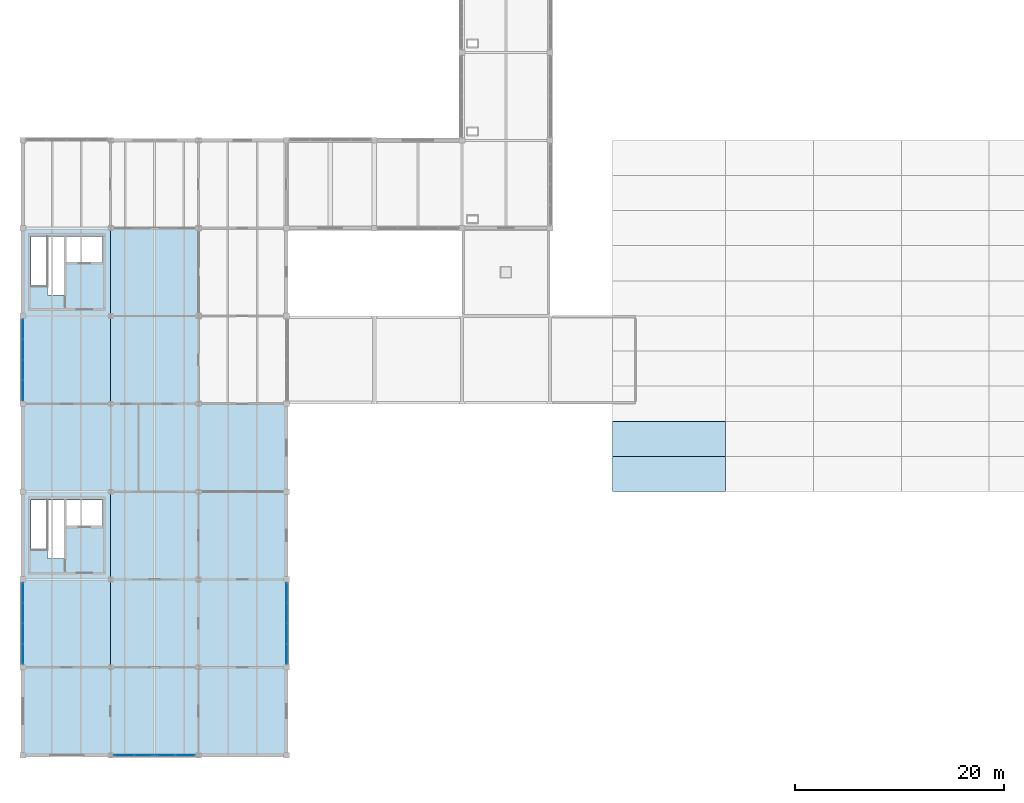
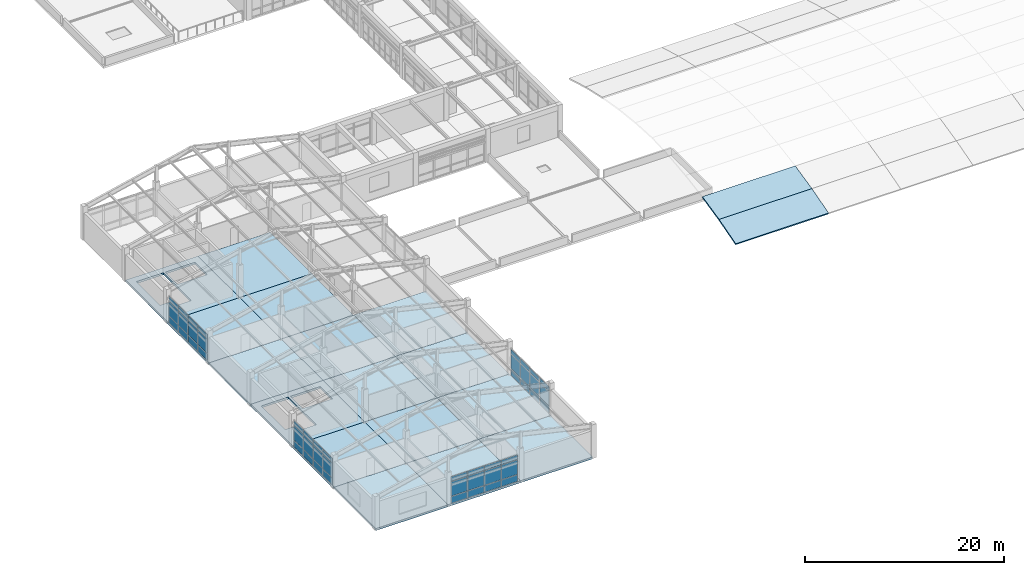
# One storey, part 20 of 40: 48 plates, 18 slabs, 4 elements without a shape of their own.
"""IFC4 building model written with IfcOpenShell, lengths in metres."""

from ifc_helpers import new_model, si_unit, direction, frame, origin, origin_2d, place, context, subcontext, project, spatial, polyline, rectangle, outline, extrude, material, layer, layer_set, type_object, element, aggregate, save


model = new_model("IFC4")

# Units and contexts
model_context = context("Model", 3, precision=1e-05, world=origin(), true_north=direction((0.0, 1.0)))
body_context = subcontext(model_context, "Body", "Model", "MODEL_VIEW")
ifc_project = project(units=[si_unit("LENGTHUNIT", "METRE"), si_unit("AREAUNIT", "SQUARE_METRE"), si_unit("VOLUMEUNIT", "CUBIC_METRE"), si_unit("PLANEANGLEUNIT", "RADIAN"), si_unit("MASSUNIT", "GRAM", prefix="KILO")], contexts=[model_context])

# Site, building, storey
site_placement = place(None, origin())
site = spatial("IfcSite", under=ifc_project, at=site_placement, CompositionType="ELEMENT")
building_placement = place(site_placement, origin())
building = spatial("IfcBuilding", under=site, at=building_placement, Name="Porcellanite Civic Hall", CompositionType="ELEMENT")
storey_placement = place(building_placement, frame((0.0, 0.0, 19.080078125)))
storey = spatial("IfcBuildingStorey", under=building, at=storey_placement, Name="L04", CompositionType="ELEMENT", Elevation=19.080078125)

# Curtain wall, plates
ifc_material_1 = material(Name="Anodised aluminium and solar laminated glass", Category="aluminium")
ifc_layer_1 = layer(ifc_material_1, 0.179931640625)
ifc_layer_set_1 = layer_set([ifc_layer_1], Name="Anodised aluminium and solar laminated glass")
curtain_wall_type = type_object("IfcCurtainWallType", Name="CW-SYS05", PredefinedType="NOTDEFINED", material=ifc_layer_set_1)
curtain_wall_1_placement = place(storey_placement, origin())
curtain_wall_1 = element("IfcCurtainWall", 1, at=curtain_wall_1_placement, inside=storey, type_object=curtain_wall_type, Name="Curtain wall CW-229", PredefinedType="NOTDEFINED")
ifc_material_2 = material(Name="Cyclone laminated solar-control low-E glass", Category="glass")
ifc_layer_2 = layer(ifc_material_2, 0.028076171875)
ifc_layer_set_2 = layer_set([ifc_layer_2], Name="Cyclone laminated solar-control low-E glass")
plate_type = type_object("IfcPlateType", Name="CWP-03", PredefinedType="CURTAIN_PANEL", material=ifc_layer_set_2)
plate_1_placement = place(storey_placement, frame((8.39990234375, 26.474609375, 0.059814453125), z_axis=(0.0, 0.0, 1.0), x_axis=(0.0, 1.0, 0.0)))
plate_1 = element("IfcPlate", 2, at=plate_1_placement, type_object=plate_type, Name="CW-229 panel 1.1", PredefinedType="CURTAIN_PANEL", context=body_context, shape_type="SweptSolid", body=[
    extrude(rectangle(XDim=1.85693359375, YDim=0.028076171875, at=origin_2d()), origin(), (0.0, 0.0, 1.0), 0.81005859375),
])
plate_2_placement = place(storey_placement, frame((8.39990234375, 26.474609375, 0.9296875), z_axis=(0.0, 0.0, 1.0), x_axis=(0.0, 1.0, 0.0)))
plate_2 = element("IfcPlate", 3, at=plate_2_placement, type_object=plate_type, Name="CW-229 panel 1.2", PredefinedType="CURTAIN_PANEL", context=body_context, shape_type="SweptSolid", body=[
    extrude(rectangle(XDim=1.85693359375, YDim=0.028076171875, at=origin_2d()), origin(), (0.0, 0.0, 1.0), 1.760009765625),
])
plate_3_placement = place(storey_placement, frame((8.39990234375, 26.474609375, 2.75), z_axis=(0.0, 0.0, 1.0), x_axis=(0.0, 1.0, 0.0)))
plate_3 = element("IfcPlate", 4, at=plate_3_placement, type_object=plate_type, Name="CW-229 panel 1.3", PredefinedType="CURTAIN_PANEL", context=body_context, shape_type="SweptSolid", body=[
    extrude(rectangle(XDim=1.85693359375, YDim=0.028076171875, at=origin_2d()), origin(), (0.0, 0.0, 1.0), 0.56005859375),
])
plate_4_placement = place(storey_placement, frame((8.39990234375, 28.4189453125, 0.059814453125), z_axis=(0.0, 0.0, 1.0), x_axis=(0.0, 1.0, 0.0)))
plate_4 = element("IfcPlate", 5, at=plate_4_placement, type_object=plate_type, Name="CW-229 panel 2.1", PredefinedType="CURTAIN_PANEL", context=body_context, shape_type="SweptSolid", body=[
    extrude(rectangle(XDim=1.89208984375, YDim=0.028076171875, at=origin_2d()), origin(), (0.0, 0.0, 1.0), 0.81005859375),
])
plate_5_placement = place(storey_placement, frame((8.39990234375, 28.4189453125, 0.9296875), z_axis=(0.0, 0.0, 1.0), x_axis=(0.0, 1.0, 0.0)))
plate_5 = element("IfcPlate", 6, at=plate_5_placement, type_object=plate_type, Name="CW-229 panel 2.2", PredefinedType="CURTAIN_PANEL", context=body_context, shape_type="SweptSolid", body=[
    extrude(rectangle(XDim=1.89208984375, YDim=0.028076171875, at=origin_2d()), origin(), (0.0, 0.0, 1.0), 1.760009765625),
])
plate_6_placement = place(storey_placement, frame((8.39990234375, 28.4189453125, 2.75), z_axis=(0.0, 0.0, 1.0), x_axis=(0.0, 1.0, 0.0)))
plate_6 = element("IfcPlate", 7, at=plate_6_placement, type_object=plate_type, Name="CW-229 panel 2.3", PredefinedType="CURTAIN_PANEL", context=body_context, shape_type="SweptSolid", body=[
    extrude(rectangle(XDim=1.89208984375, YDim=0.028076171875, at=origin_2d()), origin(), (0.0, 0.0, 1.0), 0.56005859375),
])
plate_7_placement = place(storey_placement, frame((8.39990234375, 30.381103515625, 0.059814453125), z_axis=(0.0, 0.0, 1.0), x_axis=(0.0, 1.0, 0.0)))
plate_7 = element("IfcPlate", 8, at=plate_7_placement, type_object=plate_type, Name="CW-229 panel 3.1", PredefinedType="CURTAIN_PANEL", context=body_context, shape_type="SweptSolid", body=[
    extrude(rectangle(XDim=1.89208984375, YDim=0.028076171875, at=origin_2d()), origin(), (0.0, 0.0, 1.0), 0.81005859375),
])
plate_8_placement = place(storey_placement, frame((8.39990234375, 30.381103515625, 0.9296875), z_axis=(0.0, 0.0, 1.0), x_axis=(0.0, 1.0, 0.0)))
plate_8 = element("IfcPlate", 9, at=plate_8_placement, type_object=plate_type, Name="CW-229 panel 3.2", PredefinedType="CURTAIN_PANEL", context=body_context, shape_type="SweptSolid", body=[
    extrude(rectangle(XDim=1.89208984375, YDim=0.028076171875, at=origin_2d()), origin(), (0.0, 0.0, 1.0), 1.760009765625),
])
plate_9_placement = place(storey_placement, frame((8.39990234375, 30.381103515625, 2.75), z_axis=(0.0, 0.0, 1.0), x_axis=(0.0, 1.0, 0.0)))
plate_9 = element("IfcPlate", 10, at=plate_9_placement, type_object=plate_type, Name="CW-229 panel 3.3", PredefinedType="CURTAIN_PANEL", context=body_context, shape_type="SweptSolid", body=[
    extrude(rectangle(XDim=1.89208984375, YDim=0.028076171875, at=origin_2d()), origin(), (0.0, 0.0, 1.0), 0.56005859375),
])
plate_10_placement = place(storey_placement, frame((8.39990234375, 32.325439453125, 0.059814453125), z_axis=(0.0, 0.0, 1.0), x_axis=(0.0, 1.0, 0.0)))
plate_10 = element("IfcPlate", 11, at=plate_10_placement, type_object=plate_type, Name="CW-229 panel 4.1", PredefinedType="CURTAIN_PANEL", context=body_context, shape_type="SweptSolid", body=[
    extrude(rectangle(XDim=1.85693359375, YDim=0.028076171875, at=origin_2d()), origin(), (0.0, 0.0, 1.0), 0.81005859375),
])
plate_11_placement = place(storey_placement, frame((8.39990234375, 32.325439453125, 0.9296875), z_axis=(0.0, 0.0, 1.0), x_axis=(0.0, 1.0, 0.0)))
plate_11 = element("IfcPlate", 12, at=plate_11_placement, type_object=plate_type, Name="CW-229 panel 4.2", PredefinedType="CURTAIN_PANEL", context=body_context, shape_type="SweptSolid", body=[
    extrude(rectangle(XDim=1.85693359375, YDim=0.028076171875, at=origin_2d()), origin(), (0.0, 0.0, 1.0), 1.760009765625),
])
plate_12_placement = place(storey_placement, frame((8.39990234375, 32.325439453125, 2.75), z_axis=(0.0, 0.0, 1.0), x_axis=(0.0, 1.0, 0.0)))
plate_12 = element("IfcPlate", 13, at=plate_12_placement, type_object=plate_type, Name="CW-229 panel 4.3", PredefinedType="CURTAIN_PANEL", context=body_context, shape_type="SweptSolid", body=[
    extrude(rectangle(XDim=1.85693359375, YDim=0.028076171875, at=origin_2d()), origin(), (0.0, 0.0, 1.0), 0.56005859375),
])
aggregate(curtain_wall_1, [plate_1, plate_2, plate_3, plate_4, plate_5, plate_6, plate_7, plate_8, plate_9, plate_10, plate_11, plate_12])

curtain_wall_2_placement = place(storey_placement, origin())
curtain_wall_2 = element("IfcCurtainWall", 14, at=curtain_wall_2_placement, inside=storey, type_object=curtain_wall_type, Name="Curtain wall CW-230", PredefinedType="NOTDEFINED")
plate_13_placement = place(storey_placement, frame((8.39990234375, 51.674560546875, 0.059814453125), z_axis=(0.0, 0.0, 1.0), x_axis=(0.0, 1.0, 0.0)))
plate_13 = element("IfcPlate", 15, at=plate_13_placement, type_object=plate_type, Name="CW-230 panel 1.1", PredefinedType="CURTAIN_PANEL", context=body_context, shape_type="SweptSolid", body=[
    extrude(rectangle(XDim=1.85693359375, YDim=0.028076171875, at=origin_2d()), origin(), (0.0, 0.0, 1.0), 0.81005859375),
])
plate_14_placement = place(storey_placement, frame((8.39990234375, 51.674560546875, 0.9296875), z_axis=(0.0, 0.0, 1.0), x_axis=(0.0, 1.0, 0.0)))
plate_14 = element("IfcPlate", 16, at=plate_14_placement, type_object=plate_type, Name="CW-230 panel 1.2", PredefinedType="CURTAIN_PANEL", context=body_context, shape_type="SweptSolid", body=[
    extrude(rectangle(XDim=1.85693359375, YDim=0.028076171875, at=origin_2d()), origin(), (0.0, 0.0, 1.0), 1.760009765625),
])
plate_15_placement = place(storey_placement, frame((8.39990234375, 51.674560546875, 2.75), z_axis=(0.0, 0.0, 1.0), x_axis=(0.0, 1.0, 0.0)))
plate_15 = element("IfcPlate", 17, at=plate_15_placement, type_object=plate_type, Name="CW-230 panel 1.3", PredefinedType="CURTAIN_PANEL", context=body_context, shape_type="SweptSolid", body=[
    extrude(rectangle(XDim=1.85693359375, YDim=0.028076171875, at=origin_2d()), origin(), (0.0, 0.0, 1.0), 0.56005859375),
])
plate_16_placement = place(storey_placement, frame((8.39990234375, 53.618896484375, 0.059814453125), z_axis=(0.0, 0.0, 1.0), x_axis=(0.0, 1.0, 0.0)))
plate_16 = element("IfcPlate", 18, at=plate_16_placement, type_object=plate_type, Name="CW-230 panel 2.1", PredefinedType="CURTAIN_PANEL", context=body_context, shape_type="SweptSolid", body=[
    extrude(rectangle(XDim=1.89208984375, YDim=0.028076171875, at=origin_2d()), origin(), (0.0, 0.0, 1.0), 0.81005859375),
])
plate_17_placement = place(storey_placement, frame((8.39990234375, 53.618896484375, 0.9296875), z_axis=(0.0, 0.0, 1.0), x_axis=(0.0, 1.0, 0.0)))
plate_17 = element("IfcPlate", 19, at=plate_17_placement, type_object=plate_type, Name="CW-230 panel 2.2", PredefinedType="CURTAIN_PANEL", context=body_context, shape_type="SweptSolid", body=[
    extrude(rectangle(XDim=1.89208984375, YDim=0.028076171875, at=origin_2d()), origin(), (0.0, 0.0, 1.0), 1.760009765625),
])
plate_18_placement = place(storey_placement, frame((8.39990234375, 53.618896484375, 2.75), z_axis=(0.0, 0.0, 1.0), x_axis=(0.0, 1.0, 0.0)))
plate_18 = element("IfcPlate", 20, at=plate_18_placement, type_object=plate_type, Name="CW-230 panel 2.3", PredefinedType="CURTAIN_PANEL", context=body_context, shape_type="SweptSolid", body=[
    extrude(rectangle(XDim=1.89208984375, YDim=0.028076171875, at=origin_2d()), origin(), (0.0, 0.0, 1.0), 0.56005859375),
])
plate_19_placement = place(storey_placement, frame((8.39990234375, 55.5810546875, 0.059814453125), z_axis=(0.0, 0.0, 1.0), x_axis=(0.0, 1.0, 0.0)))
plate_19 = element("IfcPlate", 21, at=plate_19_placement, type_object=plate_type, Name="CW-230 panel 3.1", PredefinedType="CURTAIN_PANEL", context=body_context, shape_type="SweptSolid", body=[
    extrude(rectangle(XDim=1.89208984375, YDim=0.028076171875, at=origin_2d()), origin(), (0.0, 0.0, 1.0), 0.81005859375),
])
plate_20_placement = place(storey_placement, frame((8.39990234375, 55.5810546875, 0.9296875), z_axis=(0.0, 0.0, 1.0), x_axis=(0.0, 1.0, 0.0)))
plate_20 = element("IfcPlate", 22, at=plate_20_placement, type_object=plate_type, Name="CW-230 panel 3.2", PredefinedType="CURTAIN_PANEL", context=body_context, shape_type="SweptSolid", body=[
    extrude(rectangle(XDim=1.89208984375, YDim=0.028076171875, at=origin_2d()), origin(), (0.0, 0.0, 1.0), 1.760009765625),
])
plate_21_placement = place(storey_placement, frame((8.39990234375, 55.5810546875, 2.75), z_axis=(0.0, 0.0, 1.0), x_axis=(0.0, 1.0, 0.0)))
plate_21 = element("IfcPlate", 23, at=plate_21_placement, type_object=plate_type, Name="CW-230 panel 3.3", PredefinedType="CURTAIN_PANEL", context=body_context, shape_type="SweptSolid", body=[
    extrude(rectangle(XDim=1.89208984375, YDim=0.028076171875, at=origin_2d()), origin(), (0.0, 0.0, 1.0), 0.56005859375),
])
plate_22_placement = place(storey_placement, frame((8.39990234375, 57.525390625, 0.059814453125), z_axis=(0.0, 0.0, 1.0), x_axis=(0.0, 1.0, 0.0)))
plate_22 = element("IfcPlate", 24, at=plate_22_placement, type_object=plate_type, Name="CW-230 panel 4.1", PredefinedType="CURTAIN_PANEL", context=body_context, shape_type="SweptSolid", body=[
    extrude(rectangle(XDim=1.85693359375, YDim=0.028076171875, at=origin_2d()), origin(), (0.0, 0.0, 1.0), 0.81005859375),
])
plate_23_placement = place(storey_placement, frame((8.39990234375, 57.525390625, 0.9296875), z_axis=(0.0, 0.0, 1.0), x_axis=(0.0, 1.0, 0.0)))
plate_23 = element("IfcPlate", 25, at=plate_23_placement, type_object=plate_type, Name="CW-230 panel 4.2", PredefinedType="CURTAIN_PANEL", context=body_context, shape_type="SweptSolid", body=[
    extrude(rectangle(XDim=1.85693359375, YDim=0.028076171875, at=origin_2d()), origin(), (0.0, 0.0, 1.0), 1.760009765625),
])
plate_24_placement = place(storey_placement, frame((8.39990234375, 57.525390625, 2.75), z_axis=(0.0, 0.0, 1.0), x_axis=(0.0, 1.0, 0.0)))
plate_24 = element("IfcPlate", 26, at=plate_24_placement, type_object=plate_type, Name="CW-230 panel 4.3", PredefinedType="CURTAIN_PANEL", context=body_context, shape_type="SweptSolid", body=[
    extrude(rectangle(XDim=1.85693359375, YDim=0.028076171875, at=origin_2d()), origin(), (0.0, 0.0, 1.0), 0.56005859375),
])
aggregate(curtain_wall_2, [plate_13, plate_14, plate_15, plate_16, plate_17, plate_18, plate_19, plate_20, plate_21, plate_22, plate_23, plate_24])

curtain_wall_3_placement = place(storey_placement, origin())
curtain_wall_3 = element("IfcCurtainWall", 27, at=curtain_wall_3_placement, inside=storey, type_object=curtain_wall_type, Name="Curtain wall CW-232", PredefinedType="NOTDEFINED")
plate_25_placement = place(storey_placement, frame((23.925537109375, 16.800048828125, 0.059814453125), z_axis=(0.0, 0.0, 1.0), x_axis=(-1.0, 0.0, 0.0)))
plate_25 = element("IfcPlate", 28, at=plate_25_placement, type_object=plate_type, Name="CW-232 panel 1.1", PredefinedType="CURTAIN_PANEL", context=body_context, shape_type="SweptSolid", body=[
    extrude(rectangle(XDim=1.85693359375, YDim=0.028076171875, at=origin_2d()), origin(), (0.0, 0.0, 1.0), 0.81005859375),
])
plate_26_placement = place(storey_placement, frame((23.925537109375, 16.800048828125, 0.9296875), z_axis=(0.0, 0.0, 1.0), x_axis=(-1.0, 0.0, 0.0)))
plate_26 = element("IfcPlate", 29, at=plate_26_placement, type_object=plate_type, Name="CW-232 panel 1.2", PredefinedType="CURTAIN_PANEL", context=body_context, shape_type="SweptSolid", body=[
    extrude(rectangle(XDim=1.85693359375, YDim=0.028076171875, at=origin_2d()), origin(), (0.0, 0.0, 1.0), 1.760009765625),
])
plate_27_placement = place(storey_placement, frame((23.925537109375, 16.800048828125, 2.75), z_axis=(0.0, 0.0, 1.0), x_axis=(-1.0, 0.0, 0.0)))
plate_27 = element("IfcPlate", 30, at=plate_27_placement, type_object=plate_type, Name="CW-232 panel 1.3", PredefinedType="CURTAIN_PANEL", context=body_context, shape_type="SweptSolid", body=[
    extrude(rectangle(XDim=1.85693359375, YDim=0.028076171875, at=origin_2d()), origin(), (0.0, 0.0, 1.0), 0.56005859375),
])
plate_28_placement = place(storey_placement, frame((21.98095703125, 16.800048828125, 0.059814453125), z_axis=(0.0, 0.0, 1.0), x_axis=(-1.0, 0.0, 0.0)))
plate_28 = element("IfcPlate", 31, at=plate_28_placement, type_object=plate_type, Name="CW-232 panel 2.1", PredefinedType="CURTAIN_PANEL", context=body_context, shape_type="SweptSolid", body=[
    extrude(rectangle(XDim=1.89208984375, YDim=0.028076171875, at=origin_2d()), origin(), (0.0, 0.0, 1.0), 0.81005859375),
])
plate_29_placement = place(storey_placement, frame((21.98095703125, 16.800048828125, 0.9296875), z_axis=(0.0, 0.0, 1.0), x_axis=(-1.0, 0.0, 0.0)))
plate_29 = element("IfcPlate", 32, at=plate_29_placement, type_object=plate_type, Name="CW-232 panel 2.2", PredefinedType="CURTAIN_PANEL", context=body_context, shape_type="SweptSolid", body=[
    extrude(rectangle(XDim=1.89208984375, YDim=0.028076171875, at=origin_2d()), origin(), (0.0, 0.0, 1.0), 1.760009765625),
])
plate_30_placement = place(storey_placement, frame((21.98095703125, 16.800048828125, 2.75), z_axis=(0.0, 0.0, 1.0), x_axis=(-1.0, 0.0, 0.0)))
plate_30 = element("IfcPlate", 33, at=plate_30_placement, type_object=plate_type, Name="CW-232 panel 2.3", PredefinedType="CURTAIN_PANEL", context=body_context, shape_type="SweptSolid", body=[
    extrude(rectangle(XDim=1.89208984375, YDim=0.028076171875, at=origin_2d()), origin(), (0.0, 0.0, 1.0), 0.56005859375),
])
plate_31_placement = place(storey_placement, frame((20.01904296875, 16.800048828125, 0.059814453125), z_axis=(0.0, 0.0, 1.0), x_axis=(-1.0, 0.0, 0.0)))
plate_31 = element("IfcPlate", 34, at=plate_31_placement, type_object=plate_type, Name="CW-232 panel 3.1", PredefinedType="CURTAIN_PANEL", context=body_context, shape_type="SweptSolid", body=[
    extrude(rectangle(XDim=1.89208984375, YDim=0.028076171875, at=origin_2d()), origin(), (0.0, 0.0, 1.0), 0.81005859375),
])
plate_32_placement = place(storey_placement, frame((20.01904296875, 16.800048828125, 0.9296875), z_axis=(0.0, 0.0, 1.0), x_axis=(-1.0, 0.0, 0.0)))
plate_32 = element("IfcPlate", 35, at=plate_32_placement, type_object=plate_type, Name="CW-232 panel 3.2", PredefinedType="CURTAIN_PANEL", context=body_context, shape_type="SweptSolid", body=[
    extrude(rectangle(XDim=1.89208984375, YDim=0.028076171875, at=origin_2d()), origin(), (0.0, 0.0, 1.0), 1.760009765625),
])
plate_33_placement = place(storey_placement, frame((20.01904296875, 16.800048828125, 2.75), z_axis=(0.0, 0.0, 1.0), x_axis=(-1.0, 0.0, 0.0)))
plate_33 = element("IfcPlate", 36, at=plate_33_placement, type_object=plate_type, Name="CW-232 panel 3.3", PredefinedType="CURTAIN_PANEL", context=body_context, shape_type="SweptSolid", body=[
    extrude(rectangle(XDim=1.89208984375, YDim=0.028076171875, at=origin_2d()), origin(), (0.0, 0.0, 1.0), 0.56005859375),
])
plate_34_placement = place(storey_placement, frame((18.074462890625, 16.800048828125, 0.059814453125), z_axis=(0.0, 0.0, 1.0), x_axis=(-1.0, 0.0, 0.0)))
plate_34 = element("IfcPlate", 37, at=plate_34_placement, type_object=plate_type, Name="CW-232 panel 4.1", PredefinedType="CURTAIN_PANEL", context=body_context, shape_type="SweptSolid", body=[
    extrude(rectangle(XDim=1.85693359375, YDim=0.028076171875, at=origin_2d()), origin(), (0.0, 0.0, 1.0), 0.81005859375),
])
plate_35_placement = place(storey_placement, frame((18.074462890625, 16.800048828125, 0.9296875), z_axis=(0.0, 0.0, 1.0), x_axis=(-1.0, 0.0, 0.0)))
plate_35 = element("IfcPlate", 38, at=plate_35_placement, type_object=plate_type, Name="CW-232 panel 4.2", PredefinedType="CURTAIN_PANEL", context=body_context, shape_type="SweptSolid", body=[
    extrude(rectangle(XDim=1.85693359375, YDim=0.028076171875, at=origin_2d()), origin(), (0.0, 0.0, 1.0), 1.760009765625),
])
plate_36_placement = place(storey_placement, frame((18.074462890625, 16.800048828125, 2.75), z_axis=(0.0, 0.0, 1.0), x_axis=(-1.0, 0.0, 0.0)))
plate_36 = element("IfcPlate", 39, at=plate_36_placement, type_object=plate_type, Name="CW-232 panel 4.3", PredefinedType="CURTAIN_PANEL", context=body_context, shape_type="SweptSolid", body=[
    extrude(rectangle(XDim=1.85693359375, YDim=0.028076171875, at=origin_2d()), origin(), (0.0, 0.0, 1.0), 0.56005859375),
])
aggregate(curtain_wall_3, [plate_25, plate_26, plate_27, plate_28, plate_29, plate_30, plate_31, plate_32, plate_33, plate_34, plate_35, plate_36])

curtain_wall_4_placement = place(storey_placement, origin())
curtain_wall_4 = element("IfcCurtainWall", 40, at=curtain_wall_4_placement, inside=storey, type_object=curtain_wall_type, Name="Curtain wall CW-233", PredefinedType="NOTDEFINED")
plate_37_placement = place(storey_placement, frame((33.60009765625, 32.325439453125, 0.059814453125), z_axis=(0.0, 0.0, 1.0), x_axis=(0.0, -1.0, 0.0)))
plate_37 = element("IfcPlate", 41, at=plate_37_placement, type_object=plate_type, Name="CW-233 panel 1.1", PredefinedType="CURTAIN_PANEL", context=body_context, shape_type="SweptSolid", body=[
    extrude(rectangle(XDim=1.85693359375, YDim=0.028076171875, at=origin_2d()), origin(), (0.0, 0.0, 1.0), 0.81005859375),
])
plate_38_placement = place(storey_placement, frame((33.60009765625, 32.325439453125, 0.9296875), z_axis=(0.0, 0.0, 1.0), x_axis=(0.0, -1.0, 0.0)))
plate_38 = element("IfcPlate", 42, at=plate_38_placement, type_object=plate_type, Name="CW-233 panel 1.2", PredefinedType="CURTAIN_PANEL", context=body_context, shape_type="SweptSolid", body=[
    extrude(rectangle(XDim=1.85693359375, YDim=0.028076171875, at=origin_2d()), origin(), (0.0, 0.0, 1.0), 1.760009765625),
])
plate_39_placement = place(storey_placement, frame((33.60009765625, 32.325439453125, 2.75), z_axis=(0.0, 0.0, 1.0), x_axis=(0.0, -1.0, 0.0)))
plate_39 = element("IfcPlate", 43, at=plate_39_placement, type_object=plate_type, Name="CW-233 panel 1.3", PredefinedType="CURTAIN_PANEL", context=body_context, shape_type="SweptSolid", body=[
    extrude(rectangle(XDim=1.85693359375, YDim=0.028076171875, at=origin_2d()), origin(), (0.0, 0.0, 1.0), 0.56005859375),
])
plate_40_placement = place(storey_placement, frame((33.60009765625, 30.381103515625, 0.059814453125), z_axis=(0.0, 0.0, 1.0), x_axis=(0.0, -1.0, 0.0)))
plate_40 = element("IfcPlate", 44, at=plate_40_placement, type_object=plate_type, Name="CW-233 panel 2.1", PredefinedType="CURTAIN_PANEL", context=body_context, shape_type="SweptSolid", body=[
    extrude(rectangle(XDim=1.89208984375, YDim=0.028076171875, at=origin_2d()), origin(), (0.0, 0.0, 1.0), 0.81005859375),
])
plate_41_placement = place(storey_placement, frame((33.60009765625, 30.381103515625, 0.9296875), z_axis=(0.0, 0.0, 1.0), x_axis=(0.0, -1.0, 0.0)))
plate_41 = element("IfcPlate", 45, at=plate_41_placement, type_object=plate_type, Name="CW-233 panel 2.2", PredefinedType="CURTAIN_PANEL", context=body_context, shape_type="SweptSolid", body=[
    extrude(rectangle(XDim=1.89208984375, YDim=0.028076171875, at=origin_2d()), origin(), (0.0, 0.0, 1.0), 1.760009765625),
])
plate_42_placement = place(storey_placement, frame((33.60009765625, 30.381103515625, 2.75), z_axis=(0.0, 0.0, 1.0), x_axis=(0.0, -1.0, 0.0)))
plate_42 = element("IfcPlate", 46, at=plate_42_placement, type_object=plate_type, Name="CW-233 panel 2.3", PredefinedType="CURTAIN_PANEL", context=body_context, shape_type="SweptSolid", body=[
    extrude(rectangle(XDim=1.89208984375, YDim=0.028076171875, at=origin_2d()), origin(), (0.0, 0.0, 1.0), 0.56005859375),
])
plate_43_placement = place(storey_placement, frame((33.60009765625, 28.4189453125, 0.059814453125), z_axis=(0.0, 0.0, 1.0), x_axis=(0.0, -1.0, 0.0)))
plate_43 = element("IfcPlate", 47, at=plate_43_placement, type_object=plate_type, Name="CW-233 panel 3.1", PredefinedType="CURTAIN_PANEL", context=body_context, shape_type="SweptSolid", body=[
    extrude(rectangle(XDim=1.89208984375, YDim=0.028076171875, at=origin_2d()), origin(), (0.0, 0.0, 1.0), 0.81005859375),
])
plate_44_placement = place(storey_placement, frame((33.60009765625, 28.4189453125, 0.9296875), z_axis=(0.0, 0.0, 1.0), x_axis=(0.0, -1.0, 0.0)))
plate_44 = element("IfcPlate", 48, at=plate_44_placement, type_object=plate_type, Name="CW-233 panel 3.2", PredefinedType="CURTAIN_PANEL", context=body_context, shape_type="SweptSolid", body=[
    extrude(rectangle(XDim=1.89208984375, YDim=0.028076171875, at=origin_2d()), origin(), (0.0, 0.0, 1.0), 1.760009765625),
])
plate_45_placement = place(storey_placement, frame((33.60009765625, 28.4189453125, 2.75), z_axis=(0.0, 0.0, 1.0), x_axis=(0.0, -1.0, 0.0)))
plate_45 = element("IfcPlate", 49, at=plate_45_placement, type_object=plate_type, Name="CW-233 panel 3.3", PredefinedType="CURTAIN_PANEL", context=body_context, shape_type="SweptSolid", body=[
    extrude(rectangle(XDim=1.89208984375, YDim=0.028076171875, at=origin_2d()), origin(), (0.0, 0.0, 1.0), 0.56005859375),
])
plate_46_placement = place(storey_placement, frame((33.60009765625, 26.474609375, 0.059814453125), z_axis=(0.0, 0.0, 1.0), x_axis=(0.0, -1.0, 0.0)))
plate_46 = element("IfcPlate", 50, at=plate_46_placement, type_object=plate_type, Name="CW-233 panel 4.1", PredefinedType="CURTAIN_PANEL", context=body_context, shape_type="SweptSolid", body=[
    extrude(rectangle(XDim=1.85693359375, YDim=0.028076171875, at=origin_2d()), origin(), (0.0, 0.0, 1.0), 0.81005859375),
])
plate_47_placement = place(storey_placement, frame((33.60009765625, 26.474609375, 0.9296875), z_axis=(0.0, 0.0, 1.0), x_axis=(0.0, -1.0, 0.0)))
plate_47 = element("IfcPlate", 51, at=plate_47_placement, type_object=plate_type, Name="CW-233 panel 4.2", PredefinedType="CURTAIN_PANEL", context=body_context, shape_type="SweptSolid", body=[
    extrude(rectangle(XDim=1.85693359375, YDim=0.028076171875, at=origin_2d()), origin(), (0.0, 0.0, 1.0), 1.760009765625),
])
plate_48_placement = place(storey_placement, frame((33.60009765625, 26.474609375, 2.75), z_axis=(0.0, 0.0, 1.0), x_axis=(0.0, -1.0, 0.0)))
plate_48 = element("IfcPlate", 52, at=plate_48_placement, type_object=plate_type, Name="CW-233 panel 4.3", PredefinedType="CURTAIN_PANEL", context=body_context, shape_type="SweptSolid", body=[
    extrude(rectangle(XDim=1.85693359375, YDim=0.028076171875, at=origin_2d()), origin(), (0.0, 0.0, 1.0), 0.56005859375),
])
aggregate(curtain_wall_4, [plate_37, plate_38, plate_39, plate_40, plate_41, plate_42, plate_43, plate_44, plate_45, plate_46, plate_47, plate_48])

# Slabs
ifc_material_3 = material(Name="Concrete N40 (40 MPa)", Category="concrete")
ifc_layer_3 = layer(ifc_material_3, 0.25)
ifc_layer_set_3 = layer_set([ifc_layer_3], Name="Concrete N40 (40 MPa)")
slab_type_1 = type_object("IfcSlabType", Name="SL-FL250", PredefinedType="FLOOR", material=ifc_layer_set_3)
slab_1_placement = place(storey_placement, frame((0.0, 0.0, -0.25)))
element("IfcSlab", 53, at=slab_1_placement, inside=storey, type_object=slab_type_1, Name="Slab L04 bay 2-3", PredefinedType="FLOOR", context=body_context, shape_type="SweptSolid", body=[
    extrude(outline(polyline([(8.39990234375, 16.800048828125), (16.800048828125, 16.800048828125), (16.800048828125, 25.199951171875), (8.39990234375, 25.199951171875), (8.39990234375, 16.800048828125)])), origin(), (0.0, 0.0, 1.0), 0.25),
])
slab_2_placement = place(storey_placement, frame((0.0, 0.0, -0.25)))
element("IfcSlab", 54, at=slab_2_placement, inside=storey, type_object=slab_type_1, Name="Slab L04 bay 2-4", PredefinedType="FLOOR", context=body_context, shape_type="SweptSolid", body=[
    extrude(outline(polyline([(8.39990234375, 25.199951171875), (16.800048828125, 25.199951171875), (16.800048828125, 33.60009765625), (8.39990234375, 33.60009765625), (8.39990234375, 25.199951171875)])), origin(), (0.0, 0.0, 1.0), 0.25),
])
slab_3_placement = place(storey_placement, frame((0.0, 0.0, -0.25)))
element("IfcSlab", 55, at=slab_3_placement, inside=storey, type_object=slab_type_1, Name="Slab L04 bay 2-5", PredefinedType="FLOOR", context=body_context, shape_type="SweptSolid", body=[
    extrude(outline(polyline([(8.39990234375, 33.60009765625), (16.800048828125, 33.60009765625), (16.800048828125, 42.0), (8.39990234375, 42.0), (8.39990234375, 33.60009765625)]), holes=[polyline([(9.179931640625, 36.449951171875), (10.760009765625, 36.449951171875), (10.760009765625, 35.60009765625), (12.320068359375, 35.60009765625), (12.320068359375, 41.219970703125), (9.179931640625, 41.219970703125), (9.179931640625, 36.449951171875)]), polyline([(12.56005859375, 38.739990234375), (16.02001953125, 38.739990234375), (16.02001953125, 41.219970703125), (12.56005859375, 41.219970703125), (12.56005859375, 38.739990234375)])]), origin(), (0.0, 0.0, 1.0), 0.25),
])
slab_4_placement = place(storey_placement, frame((0.0, 0.0, -0.25)))
element("IfcSlab", 56, at=slab_4_placement, inside=storey, type_object=slab_type_1, Name="Slab L04 bay 2-6", PredefinedType="FLOOR", context=body_context, shape_type="SweptSolid", body=[
    extrude(outline(polyline([(8.39990234375, 42.0), (16.800048828125, 42.0), (16.800048828125, 50.39990234375), (8.39990234375, 50.39990234375), (8.39990234375, 42.0)])), origin(), (0.0, 0.0, 1.0), 0.25),
])
slab_5_placement = place(storey_placement, frame((0.0, 0.0, -0.25)))
element("IfcSlab", 57, at=slab_5_placement, inside=storey, type_object=slab_type_1, Name="Slab L04 bay 2-7", PredefinedType="FLOOR", context=body_context, shape_type="SweptSolid", body=[
    extrude(outline(polyline([(8.39990234375, 50.39990234375), (16.800048828125, 50.39990234375), (16.800048828125, 58.800048828125), (8.39990234375, 58.800048828125), (8.39990234375, 50.39990234375)])), origin(), (0.0, 0.0, 1.0), 0.25),
])
slab_6_placement = place(storey_placement, frame((0.0, 0.0, -0.25)))
element("IfcSlab", 58, at=slab_6_placement, inside=storey, type_object=slab_type_1, Name="Slab L04 bay 2-8", PredefinedType="FLOOR", context=body_context, shape_type="SweptSolid", body=[
    extrude(outline(polyline([(8.39990234375, 58.800048828125), (16.800048828125, 58.800048828125), (16.800048828125, 67.199951171875), (8.39990234375, 67.199951171875), (8.39990234375, 58.800048828125)]), holes=[polyline([(9.179931640625, 61.64990234375), (10.760009765625, 61.64990234375), (10.760009765625, 60.800048828125), (12.320068359375, 60.800048828125), (12.320068359375, 66.419921875), (9.179931640625, 66.419921875), (9.179931640625, 61.64990234375)]), polyline([(12.56005859375, 63.93994140625), (16.02001953125, 63.93994140625), (16.02001953125, 66.419921875), (12.56005859375, 66.419921875), (12.56005859375, 63.93994140625)])]), origin(), (0.0, 0.0, 1.0), 0.25),
])
slab_7_placement = place(storey_placement, frame((0.0, 0.0, -0.25)))
element("IfcSlab", 59, at=slab_7_placement, inside=storey, type_object=slab_type_1, Name="Slab L04 bay 3-3", PredefinedType="FLOOR", context=body_context, shape_type="SweptSolid", body=[
    extrude(outline(polyline([(16.800048828125, 16.800048828125), (25.199951171875, 16.800048828125), (25.199951171875, 25.199951171875), (16.800048828125, 25.199951171875), (16.800048828125, 16.800048828125)])), origin(), (0.0, 0.0, 1.0), 0.25),
])
slab_8_placement = place(storey_placement, frame((0.0, 0.0, -0.25)))
element("IfcSlab", 60, at=slab_8_placement, inside=storey, type_object=slab_type_1, Name="Slab L04 bay 3-4", PredefinedType="FLOOR", context=body_context, shape_type="SweptSolid", body=[
    extrude(outline(polyline([(16.800048828125, 25.199951171875), (25.199951171875, 25.199951171875), (25.199951171875, 33.60009765625), (16.800048828125, 33.60009765625), (16.800048828125, 25.199951171875)])), origin(), (0.0, 0.0, 1.0), 0.25),
])
slab_9_placement = place(storey_placement, frame((0.0, 0.0, -0.25)))
element("IfcSlab", 61, at=slab_9_placement, inside=storey, type_object=slab_type_1, Name="Slab L04 bay 3-5", PredefinedType="FLOOR", context=body_context, shape_type="SweptSolid", body=[
    extrude(outline(polyline([(16.800048828125, 33.60009765625), (25.199951171875, 33.60009765625), (25.199951171875, 42.0), (16.800048828125, 42.0), (16.800048828125, 33.60009765625)])), origin(), (0.0, 0.0, 1.0), 0.25),
])
slab_10_placement = place(storey_placement, frame((0.0, 0.0, -0.25)))
element("IfcSlab", 62, at=slab_10_placement, inside=storey, type_object=slab_type_1, Name="Slab L04 bay 3-6", PredefinedType="FLOOR", context=body_context, shape_type="SweptSolid", body=[
    extrude(outline(polyline([(16.800048828125, 42.0), (25.199951171875, 42.0), (25.199951171875, 50.39990234375), (16.800048828125, 50.39990234375), (16.800048828125, 42.0)])), origin(), (0.0, 0.0, 1.0), 0.25),
])
slab_11_placement = place(storey_placement, frame((0.0, 0.0, -0.25)))
element("IfcSlab", 63, at=slab_11_placement, inside=storey, type_object=slab_type_1, Name="Slab L04 bay 3-7", PredefinedType="FLOOR", context=body_context, shape_type="SweptSolid", body=[
    extrude(outline(polyline([(16.800048828125, 50.39990234375), (25.199951171875, 50.39990234375), (25.199951171875, 58.800048828125), (16.800048828125, 58.800048828125), (16.800048828125, 50.39990234375)])), origin(), (0.0, 0.0, 1.0), 0.25),
])
slab_12_placement = place(storey_placement, frame((0.0, 0.0, -0.25)))
element("IfcSlab", 64, at=slab_12_placement, inside=storey, type_object=slab_type_1, Name="Slab L04 bay 3-8", PredefinedType="FLOOR", context=body_context, shape_type="SweptSolid", body=[
    extrude(outline(polyline([(16.800048828125, 58.800048828125), (25.199951171875, 58.800048828125), (25.199951171875, 67.199951171875), (16.800048828125, 67.199951171875), (16.800048828125, 58.800048828125)])), origin(), (0.0, 0.0, 1.0), 0.25),
])
slab_13_placement = place(storey_placement, frame((0.0, 0.0, -0.25)))
element("IfcSlab", 65, at=slab_13_placement, inside=storey, type_object=slab_type_1, Name="Slab L04 bay 4-3", PredefinedType="FLOOR", context=body_context, shape_type="SweptSolid", body=[
    extrude(outline(polyline([(25.199951171875, 16.800048828125), (33.60009765625, 16.800048828125), (33.60009765625, 25.199951171875), (25.199951171875, 25.199951171875), (25.199951171875, 16.800048828125)])), origin(), (0.0, 0.0, 1.0), 0.25),
])
slab_14_placement = place(storey_placement, frame((0.0, 0.0, -0.25)))
element("IfcSlab", 66, at=slab_14_placement, inside=storey, type_object=slab_type_1, Name="Slab L04 bay 4-4", PredefinedType="FLOOR", context=body_context, shape_type="SweptSolid", body=[
    extrude(outline(polyline([(25.199951171875, 25.199951171875), (33.60009765625, 25.199951171875), (33.60009765625, 33.60009765625), (25.199951171875, 33.60009765625), (25.199951171875, 25.199951171875)])), origin(), (0.0, 0.0, 1.0), 0.25),
])
slab_15_placement = place(storey_placement, frame((0.0, 0.0, -0.25)))
element("IfcSlab", 67, at=slab_15_placement, inside=storey, type_object=slab_type_1, Name="Slab L04 bay 4-5", PredefinedType="FLOOR", context=body_context, shape_type="SweptSolid", body=[
    extrude(outline(polyline([(25.199951171875, 33.60009765625), (33.60009765625, 33.60009765625), (33.60009765625, 42.0), (25.199951171875, 42.0), (25.199951171875, 33.60009765625)])), origin(), (0.0, 0.0, 1.0), 0.25),
])
slab_16_placement = place(storey_placement, frame((0.0, 0.0, -0.25)))
element("IfcSlab", 68, at=slab_16_placement, inside=storey, type_object=slab_type_1, Name="Slab L04 bay 4-6", PredefinedType="FLOOR", context=body_context, shape_type="SweptSolid", body=[
    extrude(outline(polyline([(25.199951171875, 42.0), (33.60009765625, 42.0), (33.60009765625, 50.39990234375), (25.199951171875, 50.39990234375), (25.199951171875, 42.0)])), origin(), (0.0, 0.0, 1.0), 0.25),
])
ifc_material_4 = material(Name="Concrete N40 (40 MPa)", Category="concrete")
ifc_layer_4 = layer(ifc_material_4, 0.179931640625)
ifc_layer_set_4 = layer_set([ifc_layer_4], Name="Concrete N40 (40 MPa)")
slab_type_2 = type_object("IfcSlabType", Name="SL-SHELL180", PredefinedType="ROOF", material=ifc_layer_set_4)
slab_17_placement = place(storey_placement, frame((64.800048828125, 42.0, 0.0), z_axis=(0.0, -0.275606587539, 0.961270518067), x_axis=(1.0, 0.0, 0.0)))
element("IfcSlab", 69, at=slab_17_placement, inside=storey, type_object=slab_type_2, Name="Council Chamber concrete shell facet 8 1", PredefinedType="ROOF", context=body_context, shape_type="SweptSolid", body=[
    extrude(outline(polyline([(0.0, 0.0), (10.800048828125, 0.0), (10.800048828125, 3.4954857750457102), (0.0, 3.4954857750457102), (0.0, 0.0)])), origin(), (0.0, 0.0, -1.0), 0.179931640625),
])
slab_18_placement = place(storey_placement, frame((64.800048828125, 45.360107421875, 0.96337890625), z_axis=(0.0, -0.221572101504, 0.975143991334), x_axis=(1.0, 0.0, 0.0)))
element("IfcSlab", 70, at=slab_18_placement, inside=storey, type_object=slab_type_2, Name="Council Chamber concrete shell facet 8 2", PredefinedType="ROOF", context=body_context, shape_type="SweptSolid", body=[
    extrude(outline(polyline([(0.0, 0.0), (10.800048828125, 0.0), (10.800048828125, 3.4455047778670918), (0.0, 3.4455047778670918), (0.0, 0.0)])), origin(), (0.0, 0.0, -1.0), 0.179931640625),
])

save(model, "model.ifc")
